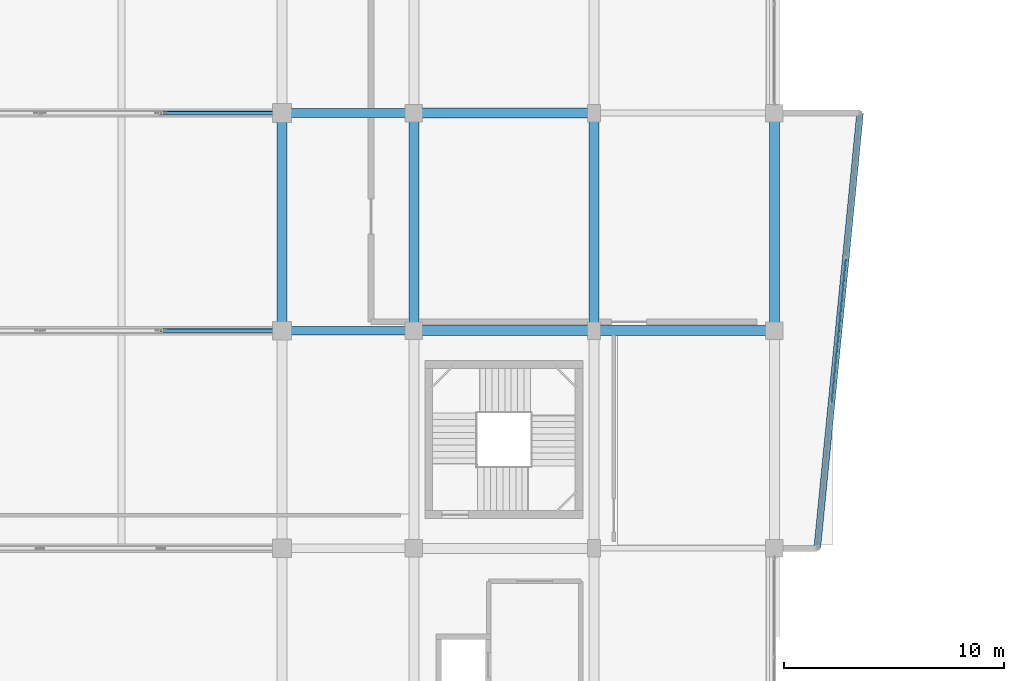
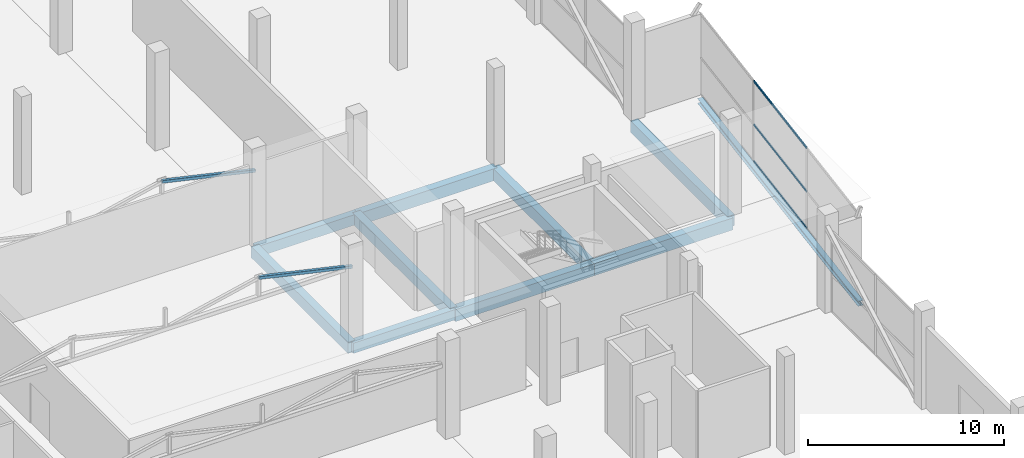
# One storey, part 22 of 58: 10 beams, 5 members, 1 element without a shape of its own.
"""IFC4 building model written with IfcOpenShell, lengths in metres."""

from ifc_helpers import new_model, si_unit, direction, frame, origin, origin_2d, place, context, subcontext, project, spatial, rectangle, hollow_rectangle, i_section, extrude, material, layer, layer_set, material_profile, profile_set, type_object, element, aggregate, save


model = new_model("IFC4")

# Units and contexts
model_context = context("Model", 3, precision=1e-05, world=origin(), true_north=direction((0.0, 1.0)))
body_context = subcontext(model_context, "Body", "Model", "MODEL_VIEW")
ifc_project = project(units=[si_unit("LENGTHUNIT", "METRE"), si_unit("AREAUNIT", "SQUARE_METRE"), si_unit("VOLUMEUNIT", "CUBIC_METRE"), si_unit("PLANEANGLEUNIT", "RADIAN"), si_unit("MASSUNIT", "GRAM", prefix="KILO")], contexts=[model_context])

# Site, building, storey
site_placement = place(None, origin())
site = spatial("IfcSite", under=ifc_project, at=site_placement, CompositionType="ELEMENT")
building_placement = place(site_placement, origin())
building = spatial("IfcBuilding", under=site, at=building_placement, Name="Sillaruma Civic Art Gallery", CompositionType="ELEMENT")
storey_placement = place(building_placement, frame((0.0, 0.0, 22.43994140625)))
storey = spatial("IfcBuildingStorey", under=building, at=storey_placement, Name="L04", CompositionType="ELEMENT", Elevation=22.43994140625)

# Beams
ifc_material_1 = material(Name="Concrete H35 (35 MPa)", Category="concrete")
ifc_material_profile_1 = material_profile(ifc_material_1, rectangle(XDim=0.39990234375, YDim=0.64990234375, at=origin_2d()), Name="RCB400x650")
ifc_profile_set_1 = profile_set([ifc_material_profile_1], Name="Concrete H35 (35 MPa)")
beam_type_1 = type_object("IfcBeamType", Name="BM-BEAM-RCB400x650", PredefinedType="BEAM", material=ifc_profile_set_1)
for number, where, z_axis, x_axis, name in (
    (1, (92.0, 59.39990234375, -0.5849609375), (1.0, 0.0, 0.0), (0.0, 1.0, 0.0), "Beam BM-05 (L03:7:K-L)"),
    (2, (92.0, 69.300048828125, -0.5849609375), (1.0, 0.0, 0.0), (0.0, 1.0, 0.0), "Beam BM-05 (L03:8:K-L)"),
):
    element("IfcBeam", number, at=place(storey_placement, frame(where, z_axis=z_axis, x_axis=x_axis)), inside=storey, type_object=beam_type_1, Name=name, PredefinedType="BEAM", context=body_context, shape_type="SweptSolid", body=[
        extrude(rectangle(XDim=0.39990234375, YDim=0.64990234375, at=origin_2d()), origin(), (0.0, 0.0, 1.0), 6.0),
    ])
ifc_material_2 = material(Name="Concrete H40 (40 MPa)", Category="concrete")
ifc_material_profile_2 = material_profile(ifc_material_2, rectangle(XDim=0.449951171875, YDim=0.75, at=origin_2d()), Name="RCB450x750")
ifc_profile_set_2 = profile_set([ifc_material_profile_2], Name="Concrete H40 (40 MPa)")
beam_type_2 = type_object("IfcBeamType", Name="BM-BEAM-RCB450x750", PredefinedType="BEAM", material=ifc_profile_set_2)
for number, where, z_axis, x_axis, name in (
    (3, (98.0, 59.39990234375, -0.635009765625), (1.0, 0.0, 0.0), (0.0, 1.0, 0.0), "Beam BM-03 (L03:7:L-M)"),
    (4, (106.199951171875, 59.39990234375, -0.635009765625), (1.0, 0.0, 0.0), (0.0, 1.0, 0.0), "Beam BM-03 (L03:7:M-N)"),
    (5, (98.0, 69.300048828125, -0.635009765625), (1.0, 0.0, 0.0), (0.0, 1.0, 0.0), "Beam BM-03 (L03:8:L-M)"),
):
    element("IfcBeam", number, at=place(storey_placement, frame(where, z_axis=z_axis, x_axis=x_axis)), inside=storey, type_object=beam_type_2, Name=name, PredefinedType="BEAM", context=body_context, shape_type="SweptSolid", body=[
        extrude(rectangle(XDim=0.449951171875, YDim=0.75, at=origin_2d()), origin(), (0.0, 0.0, 1.0), 8.199951171875),
    ])
beam_1_placement = place(storey_placement, frame((106.199951171875, 59.39990234375, -0.635009765625), z_axis=(0.0, 1.0, 0.0), x_axis=(-1.0, 0.0, 0.0)))
element("IfcBeam", 6, at=beam_1_placement, inside=storey, type_object=beam_type_2, Name="Beam BM-03 (L03:M:7-8)", PredefinedType="BEAM", context=body_context, shape_type="SweptSolid", body=[
    extrude(rectangle(XDim=0.449951171875, YDim=0.75, at=origin_2d()), origin(), (0.0, 0.0, 1.0), 9.900146484375),
])
ifc_material_3 = material(Name="Structural Steel ASTM A992 Gr.50", Category="steel")
ifc_material_profile_3 = material_profile(ifc_material_3, i_section(OverallWidth=0.305908203125, OverallDepth=0.31103515625, WebThickness=0.010986328125, FlangeThickness=0.01708984375, FilletRadius=0.014892578125, at=origin_2d()), Name="W310x107")
ifc_profile_set_3 = profile_set([ifc_material_profile_3], Name="Structural Steel ASTM A992 Gr.50")
beam_type_3 = type_object("IfcBeamType", Name="BM-PROW-W310x107", PredefinedType="SPANDREL", material=ifc_profile_set_3)
beam_2_placement = place(storey_placement, frame((116.35009765625, 49.5, -0.41552734375), z_axis=(0.098008009694, 0.995185625919, 0.0), x_axis=(-0.995185625919, 0.098008009694, 0.0)))
element("IfcBeam", 7, at=beam_2_placement, inside=storey, type_object=beam_type_3, Name="Angled Prow Edge Spandrel (PRW-L04-E-FLR)", PredefinedType="SPANDREL", context=body_context, shape_type="SweptSolid", body=[
    extrude(i_section(OverallWidth=0.305908203125, OverallDepth=0.31103515625, WebThickness=0.010986328125, FlangeThickness=0.01708984375, FilletRadius=0.014892578125, at=origin_2d()), origin(), (0.0, 0.0, 1.0), 19.895751953125),
])
ifc_material_profile_4 = material_profile(ifc_material_1, rectangle(XDim=0.449951171875, YDim=0.699951171875, at=origin_2d()), Name="RCB450x700")
ifc_profile_set_4 = profile_set([ifc_material_profile_4], Name="Concrete H35 (35 MPa)")
beam_type_4 = type_object("IfcBeamType", Name="BM-SPANDREL-RCB450x700", PredefinedType="SPANDREL", material=ifc_profile_set_4)
for number, where, z_axis, x_axis, name in (
    (8, (92.0, 59.39990234375, -0.60986328125), (0.0, 1.0, 0.0), (-1.0, 0.0, 0.0), "Beam BS-03 (L03:K:7-8)"),
    (9, (98.0, 59.39990234375, -0.60986328125), (0.0, 1.0, 0.0), (-1.0, 0.0, 0.0), "Beam BS-03 (L03:L:7-8)"),
    (10, (114.39990234375, 59.39990234375, -0.60986328125), (0.0, 1.0, 0.0), (-1.0, 0.0, 0.0), "Beam BS-03 (L03:N:7-8)"),
):
    element("IfcBeam", number, at=place(storey_placement, frame(where, z_axis=z_axis, x_axis=x_axis)), inside=storey, type_object=beam_type_4, Name=name, PredefinedType="SPANDREL", context=body_context, shape_type="SweptSolid", body=[
        extrude(rectangle(XDim=0.449951171875, YDim=0.699951171875, at=origin_2d()), origin(), (0.0, 0.0, 1.0), 9.900146484375),
    ])

# Members
ifc_material_4 = material(Name="Structural Steel ASTM A500 Gr.C", Category="steel")
ifc_material_profile_5 = material_profile(ifc_material_4, hollow_rectangle(XDim=0.179931640625, YDim=0.179931640625, WallThickness=0.010009765625, InnerFilletRadius=0.010009765625, OuterFilletRadius=0.02001953125, at=origin_2d()), Name="HSS180x180x10")
ifc_profile_set_5 = profile_set([ifc_material_profile_5], Name="Structural Steel ASTM A500 Gr.C")
member_type_1 = type_object("IfcMemberType", Name="MEM-BRACE-HSS180x180x10", PredefinedType="BRACE", material=ifc_profile_set_5)
for number, where, z_axis, x_axis, name in (
    (11, (86.5, 59.39990234375, 5.654052734375), (0.975552224414, 0.0, -0.219767735214), (0.0, 1.0, 0.0), "Warren Truss Diagonal TR-L04-2-D4"),
    (12, (86.5, 69.300048828125, 5.654052734375), (0.975552224414, 0.0, -0.219767735214), (0.0, 1.0, 0.0), "Warren Truss Diagonal TR-L04-3-D4"),
):
    element("IfcMember", number, at=place(storey_placement, frame(where, z_axis=z_axis, x_axis=x_axis)), inside=storey, type_object=member_type_1, Name=name, PredefinedType="BRACE", context=body_context, shape_type="SweptSolid", body=[
        extrude(hollow_rectangle(XDim=0.179931640625, YDim=0.179931640625, WallThickness=0.010009765625, InnerFilletRadius=0.010009765625, OuterFilletRadius=0.02001953125, at=origin_2d()), origin(), (0.0, 0.0, 1.0), 5.637939453125),
    ])

# Curtain wall, members
ifc_material_5 = material(Name="Thermally Broken Extruded Aluminium 6063-T6", Category="aluminium")
ifc_layer = layer(ifc_material_5, 0.159912109375, Name="Thermally Broken Extruded Aluminium 6063-T6")
ifc_layer_set = layer_set([ifc_layer], Name="Thermally Broken Extruded Aluminium 6063-T6")
curtain_wall_type = type_object("IfcCurtainWallType", Name="CW-UNI-25", PredefinedType="NOTDEFINED", material=ifc_layer_set)
curtain_wall_placement = place(storey_placement, origin())
curtain_wall = element("IfcCurtainWall", 13, at=curtain_wall_placement, inside=storey, type_object=curtain_wall_type, Name="Unitised Curtain Wall CW-25 (CW-PRW-L04-E-ANG)", PredefinedType="NOTDEFINED")
ifc_material_profile_6 = material_profile(ifc_material_5, hollow_rectangle(XDim=0.06494140625, YDim=0.1201171875, WallThickness=0.00341796875, at=origin_2d()), Name="CWT65x120")
ifc_profile_set_6 = profile_set([ifc_material_profile_6], Name="Thermally Broken Extruded Aluminium 6063-T6")
member_type_2 = type_object("IfcMemberType", Name="MEM-TRN-CWT65x120", PredefinedType="USERDEFINED", material=ifc_profile_set_6)
member_1_placement = place(storey_placement, frame((117.003173828125, 56.13232421875, 0.032470703125), z_axis=(0.097998127506, 0.995186599089, 0.0), x_axis=(-0.995186599089, 0.097998127506, 0.0)))
member_1 = element("IfcMember", 14, at=member_1_placement, type_object=member_type_2, Name="CW-25 transom 2.1", ObjectType="TRANSOM", PredefinedType="USERDEFINED", context=body_context, shape_type="SweptSolid", body=[
    extrude(hollow_rectangle(XDim=0.06494140625, YDim=0.1201171875, WallThickness=0.00341796875, at=origin_2d()), origin(), (0.0, 0.0, 1.0), 6.56689453125),
])
member_2_placement = place(storey_placement, frame((117.003173828125, 56.13232421875, 2.32763671875), z_axis=(0.097998127506, 0.995186599089, 0.0), x_axis=(-0.995186599089, 0.097998127506, 0.0)))
member_2 = element("IfcMember", 15, at=member_2_placement, type_object=member_type_2, Name="CW-25 transom 2.2", ObjectType="TRANSOM", PredefinedType="USERDEFINED", context=body_context, shape_type="SweptSolid", body=[
    extrude(hollow_rectangle(XDim=0.06494140625, YDim=0.1201171875, WallThickness=0.00341796875, at=origin_2d()), origin(), (0.0, 0.0, 1.0), 6.56689453125),
])
member_3_placement = place(storey_placement, frame((117.003173828125, 56.13232421875, 5.027587890625), z_axis=(0.097998127506, 0.995186599089, 0.0), x_axis=(-0.995186599089, 0.097998127506, 0.0)))
member_3 = element("IfcMember", 16, at=member_3_placement, type_object=member_type_2, Name="CW-25 transom 2.3", ObjectType="TRANSOM", PredefinedType="USERDEFINED", context=body_context, shape_type="SweptSolid", body=[
    extrude(hollow_rectangle(XDim=0.06494140625, YDim=0.1201171875, WallThickness=0.00341796875, at=origin_2d()), origin(), (0.0, 0.0, 1.0), 6.56689453125),
])
aggregate(curtain_wall, [member_1, member_2, member_3])

save(model, "model.ifc")
